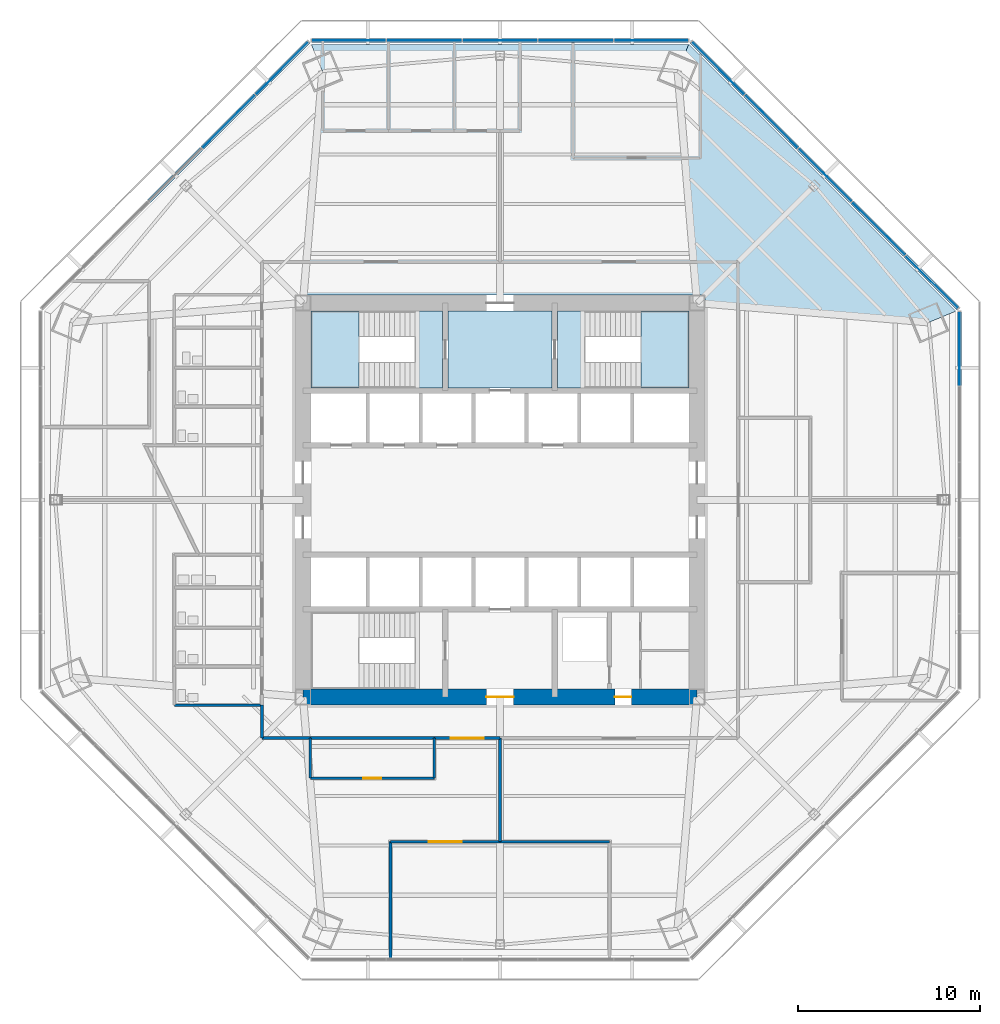
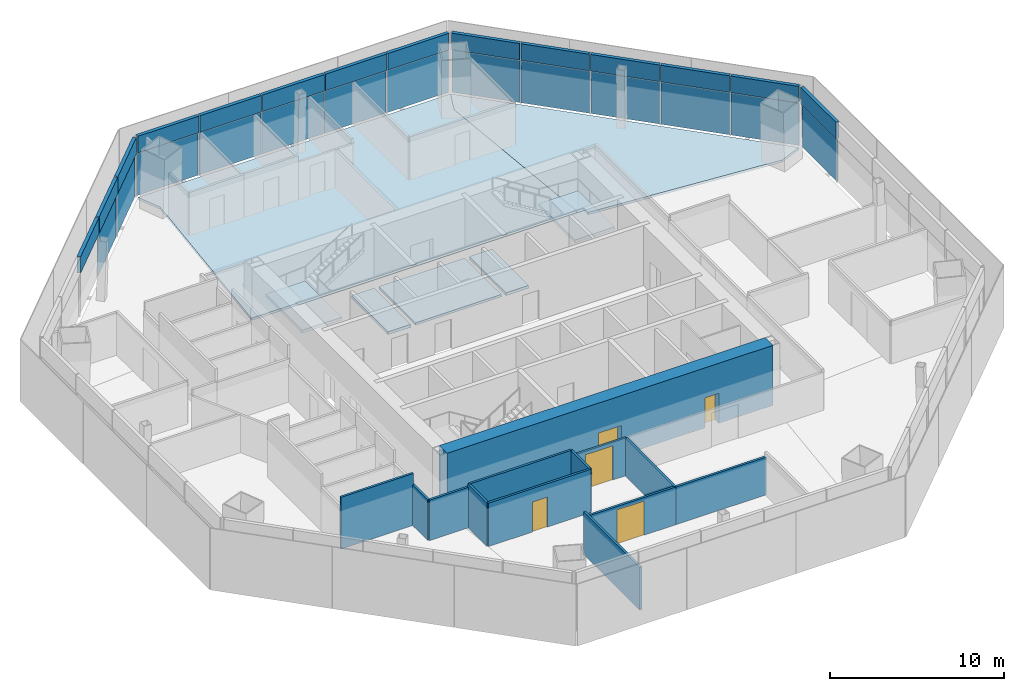
# One storey, part 9 of 16: 27 plates, 13 walls, 7 slabs, 5 doors, 5 openings, 6 elements without a shape of their own.
"""IFC4 building model written with IfcOpenShell, lengths in metres."""

from ifc_helpers import new_model, si_unit, direction, frame, frame_2d, origin, origin_2d, place, context, subcontext, project, spatial, polyline, rectangle, outline, extrude, source, transform, mapped, material, layer, layer_set, type_object, type_shapes, element, fill, aggregate, save


model = new_model("IFC4")

# Units and contexts
model_context = context("Model", 3, precision=1e-05, world=origin(), true_north=direction((0.0, 1.0)))
body_context = subcontext(model_context, "Body", "Model", "MODEL_VIEW")
ifc_project = project(units=[si_unit("LENGTHUNIT", "METRE"), si_unit("AREAUNIT", "SQUARE_METRE"), si_unit("VOLUMEUNIT", "CUBIC_METRE"), si_unit("PLANEANGLEUNIT", "RADIAN"), si_unit("MASSUNIT", "GRAM", prefix="KILO")], contexts=[model_context])

# Site, building, storey
site_placement = place(None, origin())
site = spatial("IfcSite", under=ifc_project, at=site_placement, CompositionType="ELEMENT")
building_placement = place(site_placement, origin())
building = spatial("IfcBuilding", under=site, at=building_placement, Name="Mashrafa Tower", CompositionType="ELEMENT")
storey_placement = place(building_placement, frame((0.0, 0.0, 100.199951171875)))
storey = spatial("IfcBuildingStorey", under=building, at=storey_placement, Name="L22", CompositionType="ELEMENT", Elevation=100.199951171875)

# Slabs
ifc_material_1 = material(Name="Concrete C35/45", Category="concrete")
ifc_layer_1 = layer(ifc_material_1, 0.1650390625)
ifc_layer_set_1 = layer_set([ifc_layer_1], Name="Floor slab 165")
slab_type_1 = type_object("IfcSlabType", Name="Floor slab 165", PredefinedType="FLOOR", material=ifc_layer_set_1)
slab_1_placement = place(storey_placement, frame((0.0, 0.0, -0.1650390625)))
element("IfcSlab", 1, at=slab_1_placement, inside=storey, type_object=slab_type_1, Name="Floor slab L22 north-east bay", PredefinedType="FLOOR", context=body_context, shape_type="SweptSolid", body=[
    extrude(outline(polyline([(24.980224609375, 10.34716796875), (23.506591796875, 9.73681640625), (11.25, 10.762451171875), (11.25, 11.25), (10.762451171875, 11.25), (9.73681640625, 23.506591796875), (10.34716796875, 24.980224609375), (24.980224609375, 10.34716796875)])), origin(), (0.0, 0.0, 1.0), 0.1650390625),
])
slab_2_placement = place(storey_placement, frame((0.0, 0.0, -0.1650390625)))
element("IfcSlab", 2, at=slab_2_placement, inside=storey, type_object=slab_type_1, Name="Floor slab L22 north bay", PredefinedType="FLOOR", context=body_context, shape_type="SweptSolid", body=[
    extrude(outline(polyline([(-10.34716796875, 24.980224609375), (10.34716796875, 24.980224609375), (10.34716796875, 24.980224609375), (9.73681640625, 23.506591796875), (10.762451171875, 11.25), (-10.762451171875, 11.25), (-9.73681640625, 23.506591796875), (-10.34716796875, 24.980224609375), (-10.34716796875, 24.980224609375)])), origin(), (0.0, 0.0, 1.0), 0.1650390625),
])
slab_3_placement = place(storey_placement, frame((0.0, 0.0, -0.1650390625)))
element("IfcSlab", 3, at=slab_3_placement, inside=storey, type_object=slab_type_1, Name="Core floor fire-fighting lobby north L22", PredefinedType="FLOOR", context=body_context, shape_type="SweptSolid", body=[
    extrude(outline(polyline([(-2.85009765625, 10.35009765625), (2.85009765625, 10.35009765625), (2.85009765625, 6.14990234375), (-2.85009765625, 6.14990234375), (-2.85009765625, 10.35009765625)])), origin(), (0.0, 0.0, 1.0), 0.1650390625),
])

# Stair, slabs
ifc_material_2 = material(Name="Exit stair 1400")
stair_type = type_object("IfcStairType", Name="Exit stair 1400", PredefinedType="HALF_TURN_STAIR", material=ifc_material_2)
stair_1_placement = place(storey_placement, origin())
stair_1 = element("IfcStair", 4, at=stair_1_placement, inside=storey, type_object=stair_type, Name="Stair S1 L22", PredefinedType="HALF_TURN_STAIR")
ifc_material_3 = material(Name="Concrete C32/40", Category="concrete")
ifc_layer_2 = layer(ifc_material_3, 0.199951171875)
ifc_layer_set_2 = layer_set([ifc_layer_2], Name="Stair landing 200")
slab_type_2 = type_object("IfcSlabType", Name="Stair landing 200", PredefinedType="LANDING", material=ifc_layer_set_2)
slab_4_placement = place(storey_placement, frame((0.0, 0.0, -0.199951171875)))
slab_4 = element("IfcSlab", 5, at=slab_4_placement, type_object=slab_type_2, Name="S1 landing 1", PredefinedType="LANDING", context=body_context, shape_type="SweptSolid", body=[
    extrude(outline(polyline([(-4.659912109375, 6.14990234375), (-3.14990234375, 6.14990234375), (-3.14990234375, 10.35009765625), (-4.659912109375, 10.35009765625), (-4.659912109375, 6.14990234375)])), origin(), (0.0, 0.0, 1.0), 0.199951171875),
])
slab_5_placement = place(storey_placement, frame((0.0, 0.0, 1.900146484375)))
slab_5 = element("IfcSlab", 6, at=slab_5_placement, type_object=slab_type_2, Name="S1 landing 2", PredefinedType="LANDING", context=body_context, shape_type="SweptSolid", body=[
    extrude(outline(polyline([(-10.35009765625, 6.14990234375), (-7.719970703125, 6.14990234375), (-7.719970703125, 10.35009765625), (-10.35009765625, 10.35009765625), (-10.35009765625, 6.14990234375)])), origin(), (0.0, 0.0, 1.0), 0.199951171875),
])
aggregate(stair_1, [slab_4, slab_5])

stair_2_placement = place(storey_placement, origin())
stair_2 = element("IfcStair", 7, at=stair_2_placement, inside=storey, type_object=stair_type, Name="Stair S2 L22", PredefinedType="HALF_TURN_STAIR")
slab_6_placement = place(storey_placement, frame((0.0, 0.0, -0.199951171875)))
slab_6 = element("IfcSlab", 8, at=slab_6_placement, type_object=slab_type_2, Name="S2 landing 1", PredefinedType="LANDING", context=body_context, shape_type="SweptSolid", body=[
    extrude(outline(polyline([(3.14990234375, 6.14990234375), (4.659912109375, 6.14990234375), (4.659912109375, 10.35009765625), (3.14990234375, 10.35009765625), (3.14990234375, 6.14990234375)])), origin(), (0.0, 0.0, 1.0), 0.199951171875),
])
slab_7_placement = place(storey_placement, frame((0.0, 0.0, 1.900146484375)))
slab_7 = element("IfcSlab", 9, at=slab_7_placement, type_object=slab_type_2, Name="S2 landing 2", PredefinedType="LANDING", context=body_context, shape_type="SweptSolid", body=[
    extrude(outline(polyline([(7.719970703125, 6.14990234375), (10.35009765625, 6.14990234375), (10.35009765625, 10.35009765625), (7.719970703125, 10.35009765625), (7.719970703125, 6.14990234375)])), origin(), (0.0, 0.0, 1.0), 0.199951171875),
])
aggregate(stair_2, [slab_6, slab_7])

# Curtain wall, plate
ifc_material_4 = material(Name="Unitised aluminium curtain wall", Category="aluminium")
curtain_wall_type = type_object("IfcCurtainWallType", Name="Office curtain wall, zone 1 CW-A 200 deep", PredefinedType="NOTDEFINED", material=ifc_material_4)
curtain_wall_1_placement = place(storey_placement, origin())
curtain_wall_1 = element("IfcCurtainWall", 10, at=curtain_wall_1_placement, inside=storey, type_object=curtain_wall_type, Name="Office curtain wall, zone 1 L22 east", PredefinedType="NOTDEFINED")
ifc_material_5 = material(Name="Insulated double glazing, low-e, neutral", Category="glass")
ifc_layer_3 = layer(ifc_material_5, 0.028076171875)
ifc_layer_set_3 = layer_set([ifc_layer_3], Name="Vision panel CW-A 28")
plate_type_1 = type_object("IfcPlateType", Name="Vision panel CW-A 28", PredefinedType="CURTAIN_PANEL", material=ifc_layer_set_3)
shared_shape_1 = source(origin(), body_context, "Body", "SweptSolid", [
    extrude(rectangle(XDim=4.053955078125, YDim=0.028076171875, at=origin_2d()), origin(), (0.0, 0.0, 1.0), 2.9599609375),
])
plate_1_placement = place(storey_placement, frame((25.18017578125, 8.28662109375, 0.0), z_axis=(0.0, 0.0, 1.0), x_axis=(0.0, 1.0, 0.0)))
plate_1 = element("IfcPlate", 11, at=plate_1_placement, type_object=plate_type_1, Name="CW-A vision panel 5", PredefinedType="CURTAIN_PANEL", context=body_context, shape_type="MappedRepresentation", body=[
    mapped(shared_shape_1, transform((0.0, 0.0, 0.0))),
])

# Curtain wall, plates
curtain_wall_2_placement = place(storey_placement, origin())
curtain_wall_2 = element("IfcCurtainWall", 12, at=curtain_wall_2_placement, inside=storey, type_object=curtain_wall_type, Name="Office curtain wall, zone 1 L22 north-east", PredefinedType="NOTDEFINED")
plate_2_placement = place(storey_placement, frame((23.66455078125, 11.945556640625, 0.0), z_axis=(0.0, 0.0, 1.0), x_axis=(-0.707106781187, 0.707106781187, 0.0)))
plate_2 = element("IfcPlate", 13, at=plate_2_placement, type_object=plate_type_1, Name="CW-A vision panel 1", PredefinedType="CURTAIN_PANEL", context=body_context, shape_type="MappedRepresentation", body=[
    mapped(shared_shape_1, transform((0.0, 0.0, 0.0))),
])
plate_3_placement = place(storey_placement, frame((11.945556640625, 23.66455078125, 0.0), z_axis=(0.0, 0.0, 1.0), x_axis=(-0.707106781187, 0.707106781187, 0.0)))
plate_3 = element("IfcPlate", 14, at=plate_3_placement, type_object=plate_type_1, Name="CW-A vision panel 5", PredefinedType="CURTAIN_PANEL", context=body_context, shape_type="MappedRepresentation", body=[
    mapped(shared_shape_1, transform((0.0, 0.0, 0.0))),
])

curtain_wall_3_placement = place(storey_placement, origin())
curtain_wall_3 = element("IfcCurtainWall", 15, at=curtain_wall_3_placement, inside=storey, type_object=curtain_wall_type, Name="Office curtain wall, zone 1 L22 north", PredefinedType="NOTDEFINED")
plate_4_placement = place(storey_placement, frame((8.28662109375, 25.18017578125, 0.0), z_axis=(0.0, 0.0, 1.0), x_axis=(-1.0, 0.0, 0.0)))
plate_4 = element("IfcPlate", 16, at=plate_4_placement, type_object=plate_type_1, Name="CW-A vision panel 1", PredefinedType="CURTAIN_PANEL", context=body_context, shape_type="MappedRepresentation", body=[
    mapped(shared_shape_1, transform((0.0, 0.0, 0.0))),
])
plate_5_placement = place(storey_placement, frame((-8.28662109375, 25.18017578125, 0.0), z_axis=(0.0, 0.0, 1.0), x_axis=(-1.0, 0.0, 0.0)))
plate_5 = element("IfcPlate", 17, at=plate_5_placement, type_object=plate_type_1, Name="CW-A vision panel 5", PredefinedType="CURTAIN_PANEL", context=body_context, shape_type="MappedRepresentation", body=[
    mapped(shared_shape_1, transform((0.0, 0.0, 0.0))),
])

# Curtain wall, plate
curtain_wall_4_placement = place(storey_placement, origin())
curtain_wall_4 = element("IfcCurtainWall", 18, at=curtain_wall_4_placement, inside=storey, type_object=curtain_wall_type, Name="Office curtain wall, zone 1 L22 north-west", PredefinedType="NOTDEFINED")
plate_6_placement = place(storey_placement, frame((-11.945556640625, 23.66455078125, 0.0), z_axis=(0.0, 0.0, 1.0), x_axis=(-0.707106781187, -0.707106781187, 0.0)))
plate_6 = element("IfcPlate", 19, at=plate_6_placement, type_object=plate_type_1, Name="CW-A vision panel 1", PredefinedType="CURTAIN_PANEL", context=body_context, shape_type="MappedRepresentation", body=[
    mapped(shared_shape_1, transform((0.0, 0.0, 0.0))),
])

# Plate
ifc_material_6 = material(Name="Insulated aluminium spandrel panel", Category="aluminium")
ifc_layer_4 = layer(ifc_material_6, 0.219970703125)
ifc_layer_set_4 = layer_set([ifc_layer_4], Name="Spandrel panel CW-A 220")
plate_type_2 = type_object("IfcPlateType", Name="Spandrel panel CW-A 220", PredefinedType="CURTAIN_PANEL", material=ifc_layer_set_4)
shared_shape_2 = source(origin(), body_context, "Body", "SweptSolid", [
    extrude(rectangle(XDim=4.053955078125, YDim=0.219970703125, at=origin_2d()), origin(), (0.0, 0.0, 1.0), 1.159912109375),
])
plate_7_placement = place(storey_placement, frame((25.18017578125, 8.28662109375, 3.0400390625), z_axis=(0.0, 0.0, 1.0), x_axis=(0.0, 1.0, 0.0)))
plate_7 = element("IfcPlate", 20, at=plate_7_placement, type_object=plate_type_2, Name="CW-A spandrel panel 5", PredefinedType="CURTAIN_PANEL", context=body_context, shape_type="MappedRepresentation", body=[
    mapped(shared_shape_2, transform((0.0, 0.0, 0.0))),
])

aggregate(curtain_wall_1, [plate_1, plate_7])

plate_8_placement = place(storey_placement, frame((23.66455078125, 11.945556640625, 3.0400390625), z_axis=(0.0, 0.0, 1.0), x_axis=(-0.707106781187, 0.707106781187, 0.0)))
plate_8 = element("IfcPlate", 21, at=plate_8_placement, type_object=plate_type_2, Name="CW-A spandrel panel 1", PredefinedType="CURTAIN_PANEL", context=body_context, shape_type="MappedRepresentation", body=[
    mapped(shared_shape_2, transform((0.0, 0.0, 0.0))),
])

plate_9_placement = place(storey_placement, frame((11.945556640625, 23.66455078125, 3.0400390625), z_axis=(0.0, 0.0, 1.0), x_axis=(-0.707106781187, 0.707106781187, 0.0)))
plate_9 = element("IfcPlate", 22, at=plate_9_placement, type_object=plate_type_2, Name="CW-A spandrel panel 5", PredefinedType="CURTAIN_PANEL", context=body_context, shape_type="MappedRepresentation", body=[
    mapped(shared_shape_2, transform((0.0, 0.0, 0.0))),
])

plate_10_placement = place(storey_placement, frame((8.28662109375, 25.18017578125, 3.0400390625), z_axis=(0.0, 0.0, 1.0), x_axis=(-1.0, 0.0, 0.0)))
plate_10 = element("IfcPlate", 23, at=plate_10_placement, type_object=plate_type_2, Name="CW-A spandrel panel 1", PredefinedType="CURTAIN_PANEL", context=body_context, shape_type="MappedRepresentation", body=[
    mapped(shared_shape_2, transform((0.0, 0.0, 0.0))),
])

plate_11_placement = place(storey_placement, frame((-8.28662109375, 25.18017578125, 3.0400390625), z_axis=(0.0, 0.0, 1.0), x_axis=(-1.0, 0.0, 0.0)))
plate_11 = element("IfcPlate", 24, at=plate_11_placement, type_object=plate_type_2, Name="CW-A spandrel panel 5", PredefinedType="CURTAIN_PANEL", context=body_context, shape_type="MappedRepresentation", body=[
    mapped(shared_shape_2, transform((0.0, 0.0, 0.0))),
])

plate_12_placement = place(storey_placement, frame((-11.945556640625, 23.66455078125, 3.0400390625), z_axis=(0.0, 0.0, 1.0), x_axis=(-0.707106781187, -0.707106781187, 0.0)))
plate_12 = element("IfcPlate", 25, at=plate_12_placement, type_object=plate_type_2, Name="CW-A spandrel panel 1", PredefinedType="CURTAIN_PANEL", context=body_context, shape_type="MappedRepresentation", body=[
    mapped(shared_shape_2, transform((0.0, 0.0, 0.0))),
])

shared_shape_3 = source(origin(), body_context, "Body", "SweptSolid", [
    extrude(rectangle(XDim=4.08642578125, YDim=0.028076171875, at=origin_2d()), origin(), (0.0, 0.0, 1.0), 2.9599609375),
])
type_shapes(plate_type_1, [shared_shape_1, shared_shape_3])
plate_13_placement = place(storey_placement, frame((20.740478515625, 14.86962890625, 0.0), z_axis=(0.0, 0.0, 1.0), x_axis=(-0.707106781187, 0.707106781187, 0.0)))
plate_13 = element("IfcPlate", 26, at=plate_13_placement, type_object=plate_type_1, Name="CW-A vision panel 2", PredefinedType="CURTAIN_PANEL", context=body_context, shape_type="MappedRepresentation", body=[
    mapped(shared_shape_3, transform((0.0, 0.0, 0.0))),
])

plate_14_placement = place(storey_placement, frame((17.80517578125, 17.80517578125, 0.0), z_axis=(0.0, 0.0, 1.0), x_axis=(-0.707106781187, 0.707106781187, 0.0)))
plate_14 = element("IfcPlate", 27, at=plate_14_placement, type_object=plate_type_1, Name="CW-A vision panel 3", PredefinedType="CURTAIN_PANEL", context=body_context, shape_type="MappedRepresentation", body=[
    mapped(shared_shape_3, transform((0.0, 0.0, 0.0))),
])

plate_15_placement = place(storey_placement, frame((14.86962890625, 20.740478515625, 0.0), z_axis=(0.0, 0.0, 1.0), x_axis=(-0.707106781187, 0.707106781187, 0.0)))
plate_15 = element("IfcPlate", 28, at=plate_15_placement, type_object=plate_type_1, Name="CW-A vision panel 4", PredefinedType="CURTAIN_PANEL", context=body_context, shape_type="MappedRepresentation", body=[
    mapped(shared_shape_3, transform((0.0, 0.0, 0.0))),
])

plate_16_placement = place(storey_placement, frame((4.1513671875, 25.18017578125, 0.0), z_axis=(0.0, 0.0, 1.0), x_axis=(-1.0, 0.0, 0.0)))
plate_16 = element("IfcPlate", 29, at=plate_16_placement, type_object=plate_type_1, Name="CW-A vision panel 2", PredefinedType="CURTAIN_PANEL", context=body_context, shape_type="MappedRepresentation", body=[
    mapped(shared_shape_3, transform((0.0, 0.0, 0.0))),
])

plate_17_placement = place(storey_placement, frame((0.0, 25.18017578125, 0.0), z_axis=(0.0, 0.0, 1.0), x_axis=(-1.0, 0.0, 0.0)))
plate_17 = element("IfcPlate", 30, at=plate_17_placement, type_object=plate_type_1, Name="CW-A vision panel 3", PredefinedType="CURTAIN_PANEL", context=body_context, shape_type="MappedRepresentation", body=[
    mapped(shared_shape_3, transform((0.0, 0.0, 0.0))),
])

plate_18_placement = place(storey_placement, frame((-4.1513671875, 25.18017578125, 0.0), z_axis=(0.0, 0.0, 1.0), x_axis=(-1.0, 0.0, 0.0)))
plate_18 = element("IfcPlate", 31, at=plate_18_placement, type_object=plate_type_1, Name="CW-A vision panel 4", PredefinedType="CURTAIN_PANEL", context=body_context, shape_type="MappedRepresentation", body=[
    mapped(shared_shape_3, transform((0.0, 0.0, 0.0))),
])

plate_19_placement = place(storey_placement, frame((-14.86962890625, 20.740478515625, 0.0), z_axis=(0.0, 0.0, 1.0), x_axis=(-0.707106781187, -0.707106781187, 0.0)))
plate_19 = element("IfcPlate", 32, at=plate_19_placement, type_object=plate_type_1, Name="CW-A vision panel 2", PredefinedType="CURTAIN_PANEL", context=body_context, shape_type="MappedRepresentation", body=[
    mapped(shared_shape_3, transform((0.0, 0.0, 0.0))),
])

shared_shape_4 = source(origin(), body_context, "Body", "SweptSolid", [
    extrude(rectangle(XDim=4.08642578125, YDim=0.219970703125, at=origin_2d()), origin(), (0.0, 0.0, 1.0), 1.159912109375),
])
type_shapes(plate_type_2, [shared_shape_2, shared_shape_4])
plate_20_placement = place(storey_placement, frame((20.740478515625, 14.86962890625, 3.0400390625), z_axis=(0.0, 0.0, 1.0), x_axis=(-0.707106781187, 0.707106781187, 0.0)))
plate_20 = element("IfcPlate", 33, at=plate_20_placement, type_object=plate_type_2, Name="CW-A spandrel panel 2", PredefinedType="CURTAIN_PANEL", context=body_context, shape_type="MappedRepresentation", body=[
    mapped(shared_shape_4, transform((0.0, 0.0, 0.0))),
])

plate_21_placement = place(storey_placement, frame((17.80517578125, 17.80517578125, 3.0400390625), z_axis=(0.0, 0.0, 1.0), x_axis=(-0.707106781187, 0.707106781187, 0.0)))
plate_21 = element("IfcPlate", 34, at=plate_21_placement, type_object=plate_type_2, Name="CW-A spandrel panel 3", PredefinedType="CURTAIN_PANEL", context=body_context, shape_type="MappedRepresentation", body=[
    mapped(shared_shape_4, transform((0.0, 0.0, 0.0))),
])

plate_22_placement = place(storey_placement, frame((14.86962890625, 20.740478515625, 3.0400390625), z_axis=(0.0, 0.0, 1.0), x_axis=(-0.707106781187, 0.707106781187, 0.0)))
plate_22 = element("IfcPlate", 35, at=plate_22_placement, type_object=plate_type_2, Name="CW-A spandrel panel 4", PredefinedType="CURTAIN_PANEL", context=body_context, shape_type="MappedRepresentation", body=[
    mapped(shared_shape_4, transform((0.0, 0.0, 0.0))),
])

aggregate(curtain_wall_2, [plate_2, plate_8, plate_13, plate_20, plate_14, plate_21, plate_15, plate_22, plate_3, plate_9])

plate_23_placement = place(storey_placement, frame((4.1513671875, 25.18017578125, 3.0400390625), z_axis=(0.0, 0.0, 1.0), x_axis=(-1.0, 0.0, 0.0)))
plate_23 = element("IfcPlate", 36, at=plate_23_placement, type_object=plate_type_2, Name="CW-A spandrel panel 2", PredefinedType="CURTAIN_PANEL", context=body_context, shape_type="MappedRepresentation", body=[
    mapped(shared_shape_4, transform((0.0, 0.0, 0.0))),
])

plate_24_placement = place(storey_placement, frame((0.0, 25.18017578125, 3.0400390625), z_axis=(0.0, 0.0, 1.0), x_axis=(-1.0, 0.0, 0.0)))
plate_24 = element("IfcPlate", 37, at=plate_24_placement, type_object=plate_type_2, Name="CW-A spandrel panel 3", PredefinedType="CURTAIN_PANEL", context=body_context, shape_type="MappedRepresentation", body=[
    mapped(shared_shape_4, transform((0.0, 0.0, 0.0))),
])

plate_25_placement = place(storey_placement, frame((-4.1513671875, 25.18017578125, 3.0400390625), z_axis=(0.0, 0.0, 1.0), x_axis=(-1.0, 0.0, 0.0)))
plate_25 = element("IfcPlate", 38, at=plate_25_placement, type_object=plate_type_2, Name="CW-A spandrel panel 4", PredefinedType="CURTAIN_PANEL", context=body_context, shape_type="MappedRepresentation", body=[
    mapped(shared_shape_4, transform((0.0, 0.0, 0.0))),
])

aggregate(curtain_wall_3, [plate_4, plate_10, plate_16, plate_23, plate_17, plate_24, plate_18, plate_25, plate_5, plate_11])

plate_26_placement = place(storey_placement, frame((-14.86962890625, 20.740478515625, 3.0400390625), z_axis=(0.0, 0.0, 1.0), x_axis=(-0.707106781187, -0.707106781187, 0.0)))
plate_26 = element("IfcPlate", 39, at=plate_26_placement, type_object=plate_type_2, Name="CW-A spandrel panel 2", PredefinedType="CURTAIN_PANEL", context=body_context, shape_type="MappedRepresentation", body=[
    mapped(shared_shape_4, transform((0.0, 0.0, 0.0))),
])

plate_27_placement = place(storey_placement, frame((-17.80517578125, 17.80517578125, 3.0400390625), z_axis=(0.0, 0.0, 1.0), x_axis=(-0.707106781187, -0.707106781187, 0.0)))
plate_27 = element("IfcPlate", 40, at=plate_27_placement, type_object=plate_type_2, Name="CW-A spandrel panel 3", PredefinedType="CURTAIN_PANEL", context=body_context, shape_type="MappedRepresentation", body=[
    mapped(shared_shape_4, transform((0.0, 0.0, 0.0))),
])

aggregate(curtain_wall_4, [plate_6, plate_12, plate_19, plate_26, plate_27])

# Wall, openings, doors
ifc_material_7 = material(Name="Concrete C60/75", Category="concrete")
ifc_layer_5 = layer(ifc_material_7, 0.89990234375)
ifc_layer_set_5 = layer_set([ifc_layer_5], Name="Core wall 900 C60/75")
wall_type_1 = type_object("IfcWallType", Name="Core wall 900 C60/75", PredefinedType="SOLIDWALL", material=ifc_layer_set_5)
wall_1_placement = place(storey_placement, frame((-10.800048828125, -10.800048828125, 0.0), z_axis=(0.0, 0.0, 1.0), x_axis=(1.0, 0.0, 0.0)))
wall_1 = element("IfcWall", 41, at=wall_1_placement, inside=storey, type_object=wall_type_1, Name="Core wall CW-S L22", PredefinedType="SOLIDWALL", context=body_context, shape_type="SweptSolid", body=[
    extrude(rectangle(XDim=21.60009765625, YDim=0.89990234375, at=frame_2d((10.800048828125, 0.0))), origin(), (0.0, 0.0, 1.0), 4.199951171875),
])
opening_1_placement = place(wall_1_placement, frame((10.050048828125, 0.0, 0.0)))
opening_1 = element("IfcOpeningElement", 42, at=opening_1_placement, cuts=wall_1, Name="Opening 22.028", PredefinedType="OPENING", context=body_context, shape_type="SweptSolid", body=[
    extrude(rectangle(XDim=1.5, YDim=2.10009765625, at=frame_2d((0.75, 1.050048828125))), frame((0.0, 0.4599609375, 0.0), z_axis=(0.0, -1.0, 0.0), x_axis=(1.0, 0.0, 0.0)), (0.0, 0.0, 1.0), 0.919921875),
])
opening_2_placement = place(wall_1_placement, frame((17.10009765625, 0.0, 0.0)))
opening_2 = element("IfcOpeningElement", 43, at=opening_2_placement, cuts=wall_1, Name="Opening 22.032", PredefinedType="OPENING", context=body_context, shape_type="SweptSolid", body=[
    extrude(rectangle(XDim=0.89990234375, YDim=2.10009765625, at=frame_2d((0.449951171875, 1.050048828125))), frame((0.0, 0.4599609375, 0.0), z_axis=(0.0, -1.0, 0.0), x_axis=(1.0, 0.0, 0.0)), (0.0, 0.0, 1.0), 0.919921875),
])
ifc_material_8 = material(Name="Steel door", Category="steel")
door_type_1 = type_object("IfcDoorType", Name="Lobby door pair 1500 x 2100 90 min", OperationType="DOUBLE_DOOR_SINGLE_SWING", PredefinedType="DOOR", material=ifc_material_8)
door_1_placement = place(opening_1_placement, origin())
door_1 = element("IfcDoor", 44, at=door_1_placement, inside=storey, type_object=door_type_1, Name="Fire-fighting lobby F2 door L22", OperationType="DOUBLE_DOOR_SINGLE_SWING", OverallHeight=2.10009765625, OverallWidth=1.5, PredefinedType="DOOR", context=body_context, shape_type="SweptSolid", body=[
    extrude(rectangle(XDim=1.5, YDim=2.10009765625, at=frame_2d((0.75, 1.050048828125))), frame((0.0, 0.02490234375, 0.0), z_axis=(0.0, -1.0, 0.0), x_axis=(1.0, 0.0, 0.0)), (0.0, 0.0, 1.0), 0.050048828125),
])
fill(opening_1, door_1)
ifc_material_9 = material(Name="Steel door", Category="steel")
door_type_2 = type_object("IfcDoorType", Name="Service door 900 x 2100 90 min", OperationType="USERDEFINED", PredefinedType="DOOR", material=ifc_material_9)
door_2_placement = place(opening_2_placement, frame((0.89990234375, 0.0, 0.0), z_axis=(0.0, 0.0, 1.0), x_axis=(-1.0, 0.0, 0.0)))
door_2 = element("IfcDoor", 45, at=door_2_placement, inside=storey, type_object=door_type_2, Name="Services Lobby L22 door", OperationType="SINGLE_SWING_LEFT", OverallHeight=2.10009765625, OverallWidth=0.89990234375, PredefinedType="DOOR", context=body_context, shape_type="SweptSolid", body=[
    extrude(rectangle(XDim=0.89990234375, YDim=2.10009765625, at=frame_2d((0.449951171875, 1.050048828125))), frame((0.0, 0.02490234375, 0.0), z_axis=(0.0, -1.0, 0.0), x_axis=(1.0, 0.0, 0.0)), (0.0, 0.0, 1.0), 0.050048828125),
])
fill(opening_2, door_2)

# Walls
ifc_material_10 = material(Name="Gypsum board on steel studs", Category="steel")
ifc_layer_6 = layer(ifc_material_10, 0.14990234375)
ifc_layer_set_6 = layer_set([ifc_layer_6], Name="Corridor partition 150 1 hr")
wall_type_2 = type_object("IfcWallType", Name="Corridor partition 150 1 hr", PredefinedType="PARTITIONING", material=ifc_layer_set_6)
wall_2_placement = place(storey_placement, frame((-10.40087890625, -13.050048828125, 0.0), z_axis=(0.0, 0.0, 1.0), x_axis=(1.0, 0.0, 0.0)))
element("IfcWall", 46, at=wall_2_placement, inside=storey, type_object=wall_type_2, Name="Corridor wall L22-011", PredefinedType="PARTITIONING", context=body_context, shape_type="SweptSolid", body=[
    extrude(rectangle(XDim=6.8017578125, YDim=0.14990234375, at=frame_2d((3.40087890625, 0.0))), origin(), (0.0, 0.0, 1.0), 3.0400390625),
])
wall_3_placement = place(storey_placement, frame((-13.050048828125, -11.2490234375, 0.0), z_axis=(0.0, 0.0, 1.0), x_axis=(0.0, -1.0, 0.0)))
element("IfcWall", 47, at=wall_3_placement, inside=storey, type_object=wall_type_2, Name="Corridor wall L22-016", PredefinedType="PARTITIONING", context=body_context, shape_type="SweptSolid", body=[
    extrude(rectangle(XDim=1.801025390625, YDim=0.14990234375, at=frame_2d((0.900390625, 0.0))), origin(), (0.0, 0.0, 1.0), 2.840087890625),
])
wall_4_placement = place(storey_placement, frame((-13.050048828125, -13.050048828125, 0.0), z_axis=(0.0, 0.0, 1.0), x_axis=(1.0, 0.0, 0.0)))
element("IfcWall", 48, at=wall_4_placement, inside=storey, type_object=wall_type_2, Name="Corridor wall L22-017", PredefinedType="PARTITIONING", context=body_context, shape_type="SweptSolid", body=[
    extrude(rectangle(XDim=2.651123046875, YDim=0.14990234375, at=frame_2d((1.32568359375, 0.0))), origin(), (0.0, 0.0, 1.0), 2.840087890625),
])

# Wall, opening, door
wall_5_placement = place(storey_placement, frame((-3.60107421875, -13.050048828125, 0.0), z_axis=(0.0, 0.0, 1.0), x_axis=(1.0, 0.0, 0.0)))
wall_5 = element("IfcWall", 49, at=wall_5_placement, inside=storey, type_object=wall_type_2, Name="Corridor wall L22-018", PredefinedType="PARTITIONING", context=body_context, shape_type="SweptSolid", body=[
    extrude(rectangle(XDim=3.60205078125, YDim=0.14990234375, at=frame_2d((1.801025390625, 0.0))), origin(), (0.0, 0.0, 1.0), 2.64013671875),
])
opening_3_placement = place(wall_5_placement, frame((0.90087890625, 0.0, 0.0)))
opening_3 = element("IfcOpeningElement", 50, at=opening_3_placement, cuts=wall_5, Name="Opening 22.021", PredefinedType="OPENING", context=body_context, shape_type="SweptSolid", body=[
    extrude(rectangle(XDim=1.800048828125, YDim=2.39990234375, at=frame_2d((0.89990234375, 1.199951171875))), frame((0.0, 0.0849609375, 0.0), z_axis=(0.0, -1.0, 0.0), x_axis=(1.0, 0.0, 0.0)), (0.0, 0.0, 1.0), 0.169921875),
])
ifc_material_11 = material(Name="Timber door", Category="wood")
door_type_3 = type_object("IfcDoorType", Name="Door pair 1800 x 2400", OperationType="DOUBLE_DOOR_SINGLE_SWING", PredefinedType="DOOR", material=ifc_material_11)
door_3_placement = place(opening_3_placement, frame((1.800048828125, 0.0, 0.0), z_axis=(0.0, 0.0, 1.0), x_axis=(-1.0, 0.0, 0.0)))
door_3 = element("IfcDoor", 51, at=door_3_placement, inside=storey, type_object=door_type_3, Name="Investor Relations Office 22-SW door", OperationType="DOUBLE_DOOR_SINGLE_SWING", OverallHeight=2.39990234375, OverallWidth=1.800048828125, PredefinedType="DOOR", context=body_context, shape_type="SweptSolid", body=[
    extrude(rectangle(XDim=1.800048828125, YDim=2.39990234375, at=frame_2d((0.89990234375, 1.199951171875))), frame((0.0, 0.02490234375, 0.0), z_axis=(0.0, -1.0, 0.0), x_axis=(1.0, 0.0, 0.0)), (0.0, 0.0, 1.0), 0.050048828125),
])
fill(opening_3, door_3)

# Wall
ifc_material_12 = material(Name="Gypsum board on steel studs", Category="steel")
ifc_layer_7 = layer(ifc_material_12, 0.14990234375)
ifc_layer_set_7 = layer_set([ifc_layer_7], Name="Partition 150")
wall_type_3 = type_object("IfcWallType", Name="Partition 150", PredefinedType="PARTITIONING", material=ifc_layer_set_7)
wall_6_placement = place(storey_placement, frame((-17.85009765625, -11.25, 0.0), z_axis=(0.0, 0.0, 1.0), x_axis=(1.0, 0.0, 0.0)))
element("IfcWall", 52, at=wall_6_placement, inside=storey, type_object=wall_type_3, Name="Partition wall L22-032", PredefinedType="PARTITIONING", context=body_context, shape_type="SweptSolid", body=[
    extrude(rectangle(XDim=4.800048828125, YDim=0.14990234375, at=frame_2d((2.39990234375, 0.0))), origin(), (0.0, 0.0, 1.0), 3.630126953125),
])

# Wall, opening, door
wall_7_placement = place(storey_placement, frame((0.0009765625, -18.730224609375, 0.0), z_axis=(0.0, 0.0, 1.0), x_axis=(-1.0, 0.0, 0.0)))
wall_7 = element("IfcWall", 53, at=wall_7_placement, inside=storey, type_object=wall_type_3, Name="Partition wall L22-050", PredefinedType="PARTITIONING", context=body_context, shape_type="SweptSolid", body=[
    extrude(rectangle(XDim=6.0009765625, YDim=0.14990234375, at=frame_2d((3.00048828125, 0.0))), origin(), (0.0, 0.0, 1.0), 2.64013671875),
])
opening_4_placement = place(wall_7_placement, frame((2.1005859375, 0.0, 0.0)))
opening_4 = element("IfcOpeningElement", 54, at=opening_4_placement, cuts=wall_7, Name="Opening 22.012", PredefinedType="OPENING", context=body_context, shape_type="SweptSolid", body=[
    extrude(rectangle(XDim=1.800048828125, YDim=2.39990234375, at=frame_2d((0.89990234375, 1.199951171875))), frame((0.0, 0.0849609375, 0.0), z_axis=(0.0, -1.0, 0.0), x_axis=(1.0, 0.0, 0.0)), (0.0, 0.0, 1.0), 0.169921875),
])
door_4_placement = place(opening_4_placement, origin())
door_4 = element("IfcDoor", 55, at=door_4_placement, inside=storey, type_object=door_type_3, Name="Board Room 22 door", OperationType="DOUBLE_DOOR_SINGLE_SWING", OverallHeight=2.39990234375, OverallWidth=1.800048828125, PredefinedType="DOOR", context=body_context, shape_type="SweptSolid", body=[
    extrude(rectangle(XDim=1.800048828125, YDim=2.39990234375, at=frame_2d((0.89990234375, 1.199951171875))), frame((0.0, 0.02490234375, 0.0), z_axis=(0.0, -1.0, 0.0), x_axis=(1.0, 0.0, 0.0)), (0.0, 0.0, 1.0), 0.050048828125),
])
fill(opening_4, door_4)

# Walls
wall_8_placement = place(storey_placement, frame((-6.0, -18.730224609375, 0.0), z_axis=(0.0, 0.0, 1.0), x_axis=(0.0, -1.0, 0.0)))
element("IfcWall", 56, at=wall_8_placement, inside=storey, type_object=wall_type_3, Name="Partition wall L22-051", PredefinedType="PARTITIONING", context=body_context, shape_type="SweptSolid", body=[
    extrude(rectangle(XDim=6.431884765625, YDim=0.14990234375, at=frame_2d((3.2158203125, 0.0))), origin(), (0.0, 0.0, 1.0), 2.989990234375),
])
wall_9_placement = place(storey_placement, frame((6.0, -18.730224609375, 0.0), z_axis=(0.0, 0.0, 1.0), x_axis=(-1.0, 0.0, 0.0)))
element("IfcWall", 57, at=wall_9_placement, inside=storey, type_object=wall_type_3, Name="Partition wall L22-053", PredefinedType="PARTITIONING", context=body_context, shape_type="SweptSolid", body=[
    extrude(rectangle(XDim=6.0009765625, YDim=0.14990234375, at=frame_2d((3.00048828125, 0.0))), origin(), (0.0, 0.0, 1.0), 2.64013671875),
])
wall_10_placement = place(storey_placement, frame((-10.39990234375, -13.050048828125, 0.0), z_axis=(0.0, 0.0, 1.0), x_axis=(0.0, -1.0, 0.0)))
element("IfcWall", 58, at=wall_10_placement, inside=storey, type_object=wall_type_3, Name="Partition wall L22-060", PredefinedType="PARTITIONING", context=body_context, shape_type="SweptSolid", body=[
    extrude(rectangle(XDim=2.199951171875, YDim=0.14990234375, at=frame_2d((1.10009765625, 0.0))), origin(), (0.0, 0.0, 1.0), 3.028076171875),
])

# Wall, opening, door
wall_11_placement = place(storey_placement, frame((-10.39990234375, -15.25, 0.0), z_axis=(0.0, 0.0, 1.0), x_axis=(1.0, 0.0, 0.0)))
wall_11 = element("IfcWall", 59, at=wall_11_placement, inside=storey, type_object=wall_type_3, Name="Partition wall L22-061", PredefinedType="PARTITIONING", context=body_context, shape_type="SweptSolid", body=[
    extrude(rectangle(XDim=6.7998046875, YDim=0.14990234375, at=frame_2d((3.39990234375, 0.0))), origin(), (0.0, 0.0, 1.0), 3.0400390625),
])
opening_5_placement = place(wall_11_placement, frame((2.89990234375, 0.0, 0.0)))
opening_5 = element("IfcOpeningElement", 60, at=opening_5_placement, cuts=wall_11, Name="Opening 22.015", PredefinedType="OPENING", context=body_context, shape_type="SweptSolid", body=[
    extrude(rectangle(XDim=1.0, YDim=2.10009765625, at=frame_2d((0.5, 1.050048828125))), frame((0.0, 0.0849609375, 0.0), z_axis=(0.0, -1.0, 0.0), x_axis=(1.0, 0.0, 0.0)), (0.0, 0.0, 1.0), 0.169921875),
])
ifc_material_13 = material(Name="Timber door", Category="wood")
door_type_4 = type_object("IfcDoorType", Name="Door 1000 x 2100", OperationType="USERDEFINED", PredefinedType="DOOR", material=ifc_material_13)
door_5_placement = place(opening_5_placement, origin())
door_5 = element("IfcDoor", 61, at=door_5_placement, inside=storey, type_object=door_type_4, Name="Executive Pantry 22 door", OperationType="SINGLE_SWING_LEFT", OverallHeight=2.10009765625, OverallWidth=1.0, PredefinedType="DOOR", context=body_context, shape_type="SweptSolid", body=[
    extrude(rectangle(XDim=1.0, YDim=2.10009765625, at=frame_2d((0.5, 1.050048828125))), frame((0.0, 0.02490234375, 0.0), z_axis=(0.0, -1.0, 0.0), x_axis=(1.0, 0.0, 0.0)), (0.0, 0.0, 1.0), 0.050048828125),
])
fill(opening_5, door_5)

# Walls
wall_12_placement = place(storey_placement, frame((-3.60009765625, -15.25, 0.0), z_axis=(0.0, 0.0, 1.0), x_axis=(0.0, 1.0, 0.0)))
element("IfcWall", 62, at=wall_12_placement, inside=storey, type_object=wall_type_3, Name="Partition wall L22-062", PredefinedType="PARTITIONING", context=body_context, shape_type="SweptSolid", body=[
    extrude(rectangle(XDim=2.199951171875, YDim=0.14990234375, at=frame_2d((1.10009765625, 0.0))), origin(), (0.0, 0.0, 1.0), 3.028076171875),
])
wall_13_placement = place(storey_placement, frame((0.0, -18.730224609375, 0.0), z_axis=(0.0, 0.0, 1.0), x_axis=(0.0, 1.0, 0.0)))
element("IfcWall", 63, at=wall_13_placement, inside=storey, type_object=wall_type_3, Name="Partition wall L22-075", PredefinedType="PARTITIONING", context=body_context, shape_type="SweptSolid", body=[
    extrude(rectangle(XDim=5.68017578125, YDim=0.14990234375, at=frame_2d((2.840087890625, 0.0))), origin(), (0.0, 0.0, 1.0), 2.64013671875),
])

save(model, "model.ifc")
